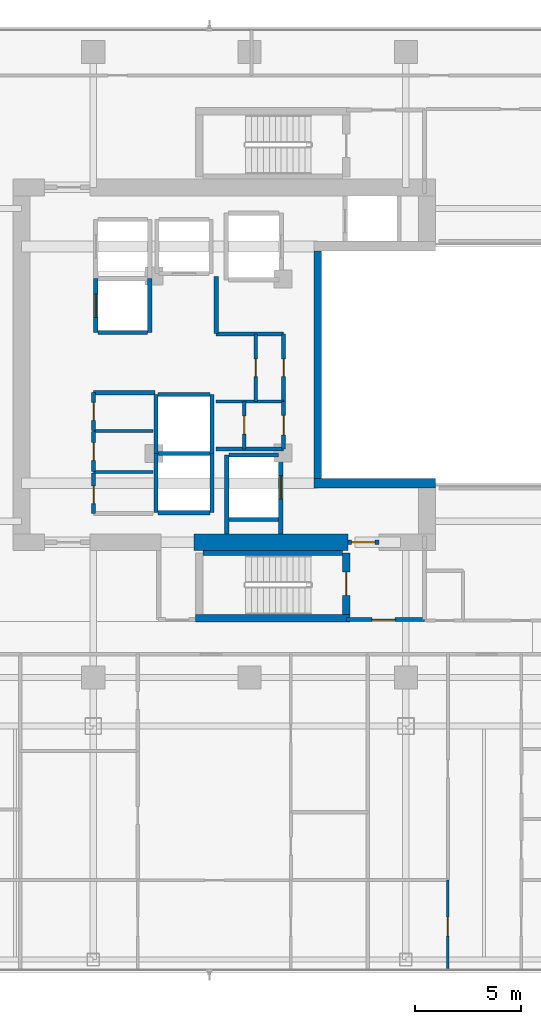
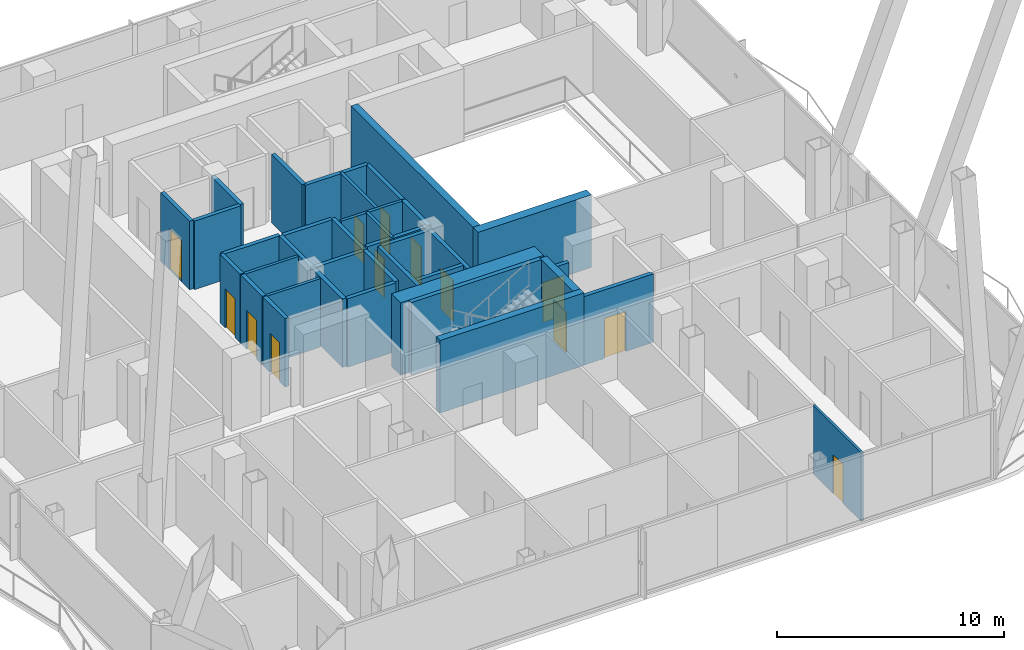
# One storey, part 21 of 27: 37 walls, 13 doors, 13 openings.
"""IFC4 building model written with IfcOpenShell, lengths in metres."""

from ifc_helpers import new_model, si_unit, direction, frame, frame_2d, origin, place, context, subcontext, project, spatial, rectangle, extrude, material, layer, layer_set, type_object, element, fill, save


model = new_model("IFC4")

# Units and contexts
model_context = context("Model", 3, precision=1e-05, world=origin(), true_north=direction((0.0, 1.0)))
body_context = subcontext(model_context, "Body", "Model", "MODEL_VIEW")
ifc_project = project(units=[si_unit("LENGTHUNIT", "METRE"), si_unit("AREAUNIT", "SQUARE_METRE"), si_unit("VOLUMEUNIT", "CUBIC_METRE"), si_unit("PLANEANGLEUNIT", "RADIAN"), si_unit("MASSUNIT", "GRAM", prefix="KILO")], contexts=[model_context])

# Site, building, storey
site_placement = place(None, origin())
site = spatial("IfcSite", under=ifc_project, at=site_placement, CompositionType="ELEMENT")
building_placement = place(site_placement, origin())
building = spatial("IfcBuilding", under=site, at=building_placement, Name="Khorvyn Point Tower", CompositionType="ELEMENT")
storey_placement = place(building_placement, frame((0.0, 0.0, 203.10009765625)))
storey = spatial("IfcBuildingStorey", under=building, at=storey_placement, Name="L50", CompositionType="ELEMENT", Elevation=203.10009765625)

# Wall
ifc_material_1 = material(Name="Concrete C40/50", Category="concrete")
ifc_layer_1 = layer(ifc_material_1, 0.449951171875)
ifc_layer_set_1 = layer_set([ifc_layer_1], Name="Concrete C40/50 Core Shear Wall 450")
wall_type_1 = type_object("IfcWallType", Name="Concrete C40/50 Core Shear Wall 450", PredefinedType="SHEAR", material=ifc_layer_set_1)
wall_1_placement = place(storey_placement, frame((3.044921875, -5.60009765625, 0.0), z_axis=(0.0, 0.0, 1.0), x_axis=(1.0, 0.0, 0.0)))
element("IfcWall", 1, at=wall_1_placement, inside=storey, type_object=wall_type_1, Name="Wall", PredefinedType="SHEAR", context=body_context, shape_type="SweptSolid", body=[
    extrude(rectangle(XDim=5.755126953125, YDim=0.449951171875, at=frame_2d((2.87744140625, 0.0))), origin(), (0.0, 0.0, 1.0), 3.89990234375),
])

# Wall, opening, door
ifc_layer_2 = layer(ifc_material_1, 0.199951171875)
ifc_layer_set_2 = layer_set([ifc_layer_2], Name="Concrete C40/50 Fire-Lobby Compartment Wall 200")
wall_type_2 = type_object("IfcWallType", Name="Concrete C40/50 Fire-Lobby Compartment Wall 200", PredefinedType="SOLIDWALL", material=ifc_layer_set_2)
wall_2_placement = place(storey_placement, frame((4.580078125, -12.06005859375, 0.0), z_axis=(0.0, 0.0, 1.0), x_axis=(1.0, 0.0, 0.0)))
wall_2 = element("IfcWall", 2, at=wall_2_placement, inside=storey, type_object=wall_type_2, Name="Wall", PredefinedType="SOLIDWALL", context=body_context, shape_type="SweptSolid", body=[
    extrude(rectangle(XDim=3.699951171875, YDim=0.199951171875, at=frame_2d((1.85009765625, 0.0))), origin(), (0.0, 0.0, 1.0), 3.679931640625),
])
opening_1_placement = place(wall_2_placement, frame((1.21240234375, 0.0, 0.0)))
opening_1 = element("IfcOpeningElement", 3, at=opening_1_placement, cuts=wall_2, Name="Opening ID-FL90", PredefinedType="OPENING", context=body_context, shape_type="SweptSolid", body=[
    extrude(rectangle(XDim=1.10009765625, YDim=2.14990234375, at=frame_2d((0.550048828125, 1.074951171875))), frame((0.0, 0.10986328125, 0.0), z_axis=(0.0, -1.0, 0.0), x_axis=(1.0, 0.0, 0.0)), (0.0, 0.0, 1.0), 0.219970703125),
])
ifc_material_2 = material(Name="Galvanised powder-coated steel", Category="steel")
door_type_1 = type_object("IfcDoorType", Name="Fire-Rated Steel Lobby and Stair Door 1100x2150", OperationType="NOTDEFINED", PredefinedType="DOOR", material=ifc_material_2)
door_1_placement = place(opening_1_placement, origin())
door_1 = element("IfcDoor", 4, at=door_1_placement, inside=storey, type_object=door_type_1, Name="Door", OperationType="SINGLE_SWING_LEFT", OverallHeight=2.14990234375, OverallWidth=1.10009765625, PredefinedType="DOOR", context=body_context, shape_type="SweptSolid", body=[
    extrude(rectangle(XDim=1.10009765625, YDim=2.14990234375, at=frame_2d((0.550048828125, 1.074951171875))), frame((0.0, 0.02490234375, 0.0), z_axis=(0.0, -1.0, 0.0), x_axis=(1.0, 0.0, 0.0)), (0.0, 0.0, 1.0), 0.050048828125),
])
fill(opening_1, door_1)

wall_3_placement = place(storey_placement, frame((4.64990234375, -8.39990234375, 0.0), z_axis=(0.0, 0.0, 1.0), x_axis=(1.0, 0.0, 0.0)))
wall_3 = element("IfcWall", 5, at=wall_3_placement, inside=storey, type_object=wall_type_2, Name="Wall", PredefinedType="SOLIDWALL", context=body_context, shape_type="SweptSolid", body=[
    extrude(rectangle(XDim=1.47021484375, YDim=0.199951171875, at=frame_2d((0.735107421875, 0.0))), origin(), (0.0, 0.0, 1.0), 2.81982421875),
])
opening_2_placement = place(wall_3_placement, frame((0.18505859375, 0.0, 0.0)))
opening_2 = element("IfcOpeningElement", 6, at=opening_2_placement, cuts=wall_3, Name="Opening ID-FL90", PredefinedType="OPENING", context=body_context, shape_type="SweptSolid", body=[
    extrude(rectangle(XDim=1.10009765625, YDim=2.14990234375, at=frame_2d((0.550048828125, 1.074951171875))), frame((0.0, 0.10986328125, 0.0), z_axis=(0.0, -1.0, 0.0), x_axis=(1.0, 0.0, 0.0)), (0.0, 0.0, 1.0), 0.219970703125),
])
door_2_placement = place(opening_2_placement, origin())
door_2 = element("IfcDoor", 7, at=door_2_placement, inside=storey, type_object=door_type_1, Name="Door", OperationType="SINGLE_SWING_RIGHT", OverallHeight=2.14990234375, OverallWidth=1.10009765625, PredefinedType="DOOR", context=body_context, shape_type="SweptSolid", body=[
    extrude(rectangle(XDim=1.10009765625, YDim=2.14990234375, at=frame_2d((0.550048828125, 1.074951171875))), frame((0.0, 0.02490234375, 0.0), z_axis=(0.0, -1.0, 0.0), x_axis=(1.0, 0.0, 0.0)), (0.0, 0.0, 1.0), 0.050048828125),
])
fill(opening_2, door_2)

wall_4_placement = place(storey_placement, frame((1.610107421875, -3.97998046875, 0.0), z_axis=(0.0, 0.0, 1.0), x_axis=(0.0, 1.0, 0.0)))
wall_4 = element("IfcWall", 8, at=wall_4_placement, inside=storey, type_object=wall_type_2, Name="Wall", PredefinedType="SOLIDWALL", context=body_context, shape_type="SweptSolid", body=[
    extrude(rectangle(XDim=2.240966796875, YDim=0.199951171875, at=frame_2d((1.12060546875, 0.0))), origin(), (0.0, 0.0, 1.0), 3.679931640625),
])
opening_3_placement = place(wall_4_placement, frame((0.660400390625, 0.0, 0.0)))
opening_3 = element("IfcOpeningElement", 9, at=opening_3_placement, cuts=wall_4, Name="Opening ID-RS60", PredefinedType="OPENING", context=body_context, shape_type="SweptSolid", body=[
    extrude(rectangle(XDim=0.919921875, YDim=2.10009765625, at=frame_2d((0.4599609375, 1.050048828125))), frame((0.0, 0.10986328125, 0.0), z_axis=(0.0, -1.0, 0.0), x_axis=(1.0, 0.0, 0.0)), (0.0, 0.0, 1.0), 0.219970703125),
])
door_type_2 = type_object("IfcDoorType", Name="Fire-Rated Riser and Store Steel Door 920x2100", OperationType="NOTDEFINED", PredefinedType="DOOR", material=ifc_material_2)
door_3_placement = place(opening_3_placement, origin())
door_3 = element("IfcDoor", 10, at=door_3_placement, inside=storey, type_object=door_type_2, Name="Door", OperationType="SINGLE_SWING_LEFT", OverallHeight=2.10009765625, OverallWidth=0.919921875, PredefinedType="DOOR", context=body_context, shape_type="SweptSolid", body=[
    extrude(rectangle(XDim=0.919921875, YDim=2.10009765625, at=frame_2d((0.4599609375, 1.050048828125))), frame((0.0, 0.02490234375, 0.0), z_axis=(0.0, -1.0, 0.0), x_axis=(1.0, 0.0, 0.0)), (0.0, 0.0, 1.0), 0.050048828125),
])
fill(opening_3, door_3)

wall_5_placement = place(storey_placement, frame((1.610107421875, -1.739013671875, 0.0), z_axis=(0.0, 0.0, 1.0), x_axis=(0.0, 1.0, 0.0)))
wall_5 = element("IfcWall", 11, at=wall_5_placement, inside=storey, type_object=wall_type_2, Name="Wall", PredefinedType="SOLIDWALL", context=body_context, shape_type="SweptSolid", body=[
    extrude(rectangle(XDim=3.198974609375, YDim=0.199951171875, at=frame_2d((1.599609375, 0.0))), origin(), (0.0, 0.0, 1.0), 3.679931640625),
])
opening_4_placement = place(wall_5_placement, frame((1.174560546875, 0.0, 0.0)))
opening_4 = element("IfcOpeningElement", 12, at=opening_4_placement, cuts=wall_5, Name="Opening ID-WC85", PredefinedType="OPENING", context=body_context, shape_type="SweptSolid", body=[
    extrude(rectangle(XDim=0.85009765625, YDim=2.10009765625, at=frame_2d((0.425048828125, 1.050048828125))), frame((0.0, 0.10986328125, 0.0), z_axis=(0.0, -1.0, 0.0), x_axis=(1.0, 0.0, 0.0)), (0.0, 0.0, 1.0), 0.219970703125),
])
ifc_material_3 = material(Name="High-pressure laminate on moisture-resistant core", Category="wood")
door_type_3 = type_object("IfcDoorType", Name="Moisture-Resistant Accessible Washroom Door 850x2100", OperationType="NOTDEFINED", PredefinedType="DOOR", material=ifc_material_3)
door_4_placement = place(opening_4_placement, origin())
door_4 = element("IfcDoor", 13, at=door_4_placement, inside=storey, type_object=door_type_3, Name="Door", OperationType="SINGLE_SWING_RIGHT", OverallHeight=2.10009765625, OverallWidth=0.85009765625, PredefinedType="DOOR", context=body_context, shape_type="SweptSolid", body=[
    extrude(rectangle(XDim=0.85009765625, YDim=2.10009765625, at=frame_2d((0.425048828125, 1.050048828125))), frame((0.0, 0.02490234375, 0.0), z_axis=(0.0, -1.0, 0.0), x_axis=(1.0, 0.0, 0.0)), (0.0, 0.0, 1.0), 0.050048828125),
])
fill(opening_4, door_4)

wall_6_placement = place(storey_placement, frame((-7.3798828125, -7.0400390625, 0.0), z_axis=(0.0, 0.0, 1.0), x_axis=(0.0, 1.0, 0.0)))
wall_6 = element("IfcWall", 14, at=wall_6_placement, inside=storey, type_object=wall_type_2, Name="Wall", PredefinedType="SOLIDWALL", context=body_context, shape_type="SweptSolid", body=[
    extrude(rectangle(XDim=1.929931640625, YDim=0.199951171875, at=frame_2d((0.96484375, 0.0))), origin(), (0.0, 0.0, 1.0), 3.679931640625),
])
opening_5_placement = place(wall_6_placement, frame((0.464111328125, 0.0, 0.0)))
opening_5 = element("IfcOpeningElement", 15, at=opening_5_placement, cuts=wall_6, Name="Opening ID-WC85", PredefinedType="OPENING", context=body_context, shape_type="SweptSolid", body=[
    extrude(rectangle(XDim=0.85009765625, YDim=2.10009765625, at=frame_2d((0.425048828125, 1.050048828125))), frame((0.0, 0.10986328125, 0.0), z_axis=(0.0, -1.0, 0.0), x_axis=(1.0, 0.0, 0.0)), (0.0, 0.0, 1.0), 0.219970703125),
])
door_5_placement = place(opening_5_placement, origin())
door_5 = element("IfcDoor", 16, at=door_5_placement, inside=storey, type_object=door_type_3, Name="Door", OperationType="SINGLE_SWING_LEFT", OverallHeight=2.10009765625, OverallWidth=0.85009765625, PredefinedType="DOOR", context=body_context, shape_type="SweptSolid", body=[
    extrude(rectangle(XDim=0.85009765625, YDim=2.10009765625, at=frame_2d((0.425048828125, 1.050048828125))), frame((0.0, 0.02490234375, 0.0), z_axis=(0.0, -1.0, 0.0), x_axis=(1.0, 0.0, 0.0)), (0.0, 0.0, 1.0), 0.050048828125),
])
fill(opening_5, door_5)

wall_7_placement = place(storey_placement, frame((-7.3798828125, -5.050048828125, 0.0), z_axis=(0.0, 0.0, 1.0), x_axis=(0.0, 1.0, 0.0)))
wall_7 = element("IfcWall", 17, at=wall_7_placement, inside=storey, type_object=wall_type_2, Name="Wall", PredefinedType="SOLIDWALL", context=body_context, shape_type="SweptSolid", body=[
    extrude(rectangle(XDim=1.89013671875, YDim=0.199951171875, at=frame_2d((0.945068359375, 0.0))), origin(), (0.0, 0.0, 1.0), 3.679931640625),
])
opening_6_placement = place(wall_7_placement, frame((0.52001953125, 0.0, 0.0)))
opening_6 = element("IfcOpeningElement", 18, at=opening_6_placement, cuts=wall_7, Name="Opening ID-WC85", PredefinedType="OPENING", context=body_context, shape_type="SweptSolid", body=[
    extrude(rectangle(XDim=0.85009765625, YDim=2.10009765625, at=frame_2d((0.425048828125, 1.050048828125))), frame((0.0, 0.10986328125, 0.0), z_axis=(0.0, -1.0, 0.0), x_axis=(1.0, 0.0, 0.0)), (0.0, 0.0, 1.0), 0.219970703125),
])
door_6_placement = place(opening_6_placement, origin())
door_6 = element("IfcDoor", 19, at=door_6_placement, inside=storey, type_object=door_type_3, Name="Door", OperationType="SINGLE_SWING_RIGHT", OverallHeight=2.10009765625, OverallWidth=0.85009765625, PredefinedType="DOOR", context=body_context, shape_type="SweptSolid", body=[
    extrude(rectangle(XDim=0.85009765625, YDim=2.10009765625, at=frame_2d((0.425048828125, 1.050048828125))), frame((0.0, 0.02490234375, 0.0), z_axis=(0.0, -1.0, 0.0), x_axis=(1.0, 0.0, 0.0)), (0.0, 0.0, 1.0), 0.050048828125),
])
fill(opening_6, door_6)

wall_8_placement = place(storey_placement, frame((-7.3798828125, -3.10009765625, 0.0), z_axis=(0.0, 0.0, 1.0), x_axis=(0.0, 1.0, 0.0)))
wall_8 = element("IfcWall", 20, at=wall_8_placement, inside=storey, type_object=wall_type_2, Name="Wall", PredefinedType="SOLIDWALL", context=body_context, shape_type="SweptSolid", body=[
    extrude(rectangle(XDim=1.780029296875, YDim=0.199951171875, at=frame_2d((0.89013671875, 0.0))), origin(), (0.0, 0.0, 1.0), 3.679931640625),
])
opening_7_placement = place(wall_8_placement, frame((0.465087890625, 0.0, 0.0)))
opening_7 = element("IfcOpeningElement", 21, at=opening_7_placement, cuts=wall_8, Name="Opening ID-WC85", PredefinedType="OPENING", context=body_context, shape_type="SweptSolid", body=[
    extrude(rectangle(XDim=0.85009765625, YDim=2.10009765625, at=frame_2d((0.425048828125, 1.050048828125))), frame((0.0, 0.10986328125, 0.0), z_axis=(0.0, -1.0, 0.0), x_axis=(1.0, 0.0, 0.0)), (0.0, 0.0, 1.0), 0.219970703125),
])
door_7_placement = place(opening_7_placement, origin())
door_7 = element("IfcDoor", 22, at=door_7_placement, inside=storey, type_object=door_type_3, Name="Door", OperationType="SINGLE_SWING_LEFT", OverallHeight=2.10009765625, OverallWidth=0.85009765625, PredefinedType="DOOR", context=body_context, shape_type="SweptSolid", body=[
    extrude(rectangle(XDim=0.85009765625, YDim=2.10009765625, at=frame_2d((0.425048828125, 1.050048828125))), frame((0.0, 0.02490234375, 0.0), z_axis=(0.0, -1.0, 0.0), x_axis=(1.0, 0.0, 0.0)), (0.0, 0.0, 1.0), 0.050048828125),
])
fill(opening_7, door_7)

# Walls
wall_9_placement = place(storey_placement, frame((-7.3798828125, -1.320068359375, 0.0), z_axis=(0.0, 0.0, 1.0), x_axis=(1.0, 0.0, 0.0)))
element("IfcWall", 23, at=wall_9_placement, inside=storey, type_object=wall_type_2, Name="Wall", PredefinedType="SOLIDWALL", context=body_context, shape_type="SweptSolid", body=[
    extrude(rectangle(XDim=2.909912109375, YDim=0.199951171875, at=frame_2d((1.455078125, 0.0))), origin(), (0.0, 0.0, 1.0), 3.679931640625),
])
wall_10_placement = place(storey_placement, frame((-1.580078125, 1.47998046875, 0.0), z_axis=(0.0, 0.0, 1.0), x_axis=(0.0, 1.0, 0.0)))
element("IfcWall", 24, at=wall_10_placement, inside=storey, type_object=wall_type_2, Name="Wall", PredefinedType="SOLIDWALL", context=body_context, shape_type="SweptSolid", body=[
    extrude(rectangle(XDim=2.699951171875, YDim=0.199951171875, at=frame_2d((1.35009765625, 0.0))), origin(), (0.0, 0.0, 1.0), 3.679931640625),
])
for number, where, z_axis, x_axis, name in (
    (25, (-1.580078125, -3.97998046875, 0.0), (0.0, 0.0, 1.0), (1.0, 0.0, 0.0), "Wall"),
    (26, (-1.580078125, 1.4599609375, 0.0), (0.0, 0.0, 1.0), (1.0, 0.0, 0.0), "Wall"),
):
    element("IfcWall", number, at=place(storey_placement, frame(where, z_axis=z_axis, x_axis=x_axis)), inside=storey, type_object=wall_type_2, Name=name, PredefinedType="SOLIDWALL", context=body_context, shape_type="SweptSolid", body=[
        extrude(rectangle(XDim=3.190185546875, YDim=0.199951171875, at=frame_2d((1.59521484375, 0.0))), origin(), (0.0, 0.0, 1.0), 3.679931640625),
    ])
ifc_layer_3 = layer(ifc_material_1, 0.25)
ifc_layer_set_3 = layer_set([ifc_layer_3], Name="Concrete C40/50 Stair Inner Cheek Structural Wall 250")
wall_type_3 = type_object("IfcWallType", Name="Concrete C40/50 Stair Inner Cheek Structural Wall 250", PredefinedType="SHEAR", material=ifc_layer_set_3)
wall_11_placement = place(storey_placement, frame((-2.199951171875, -8.91259765625, 0.0), z_axis=(0.0, 0.0, 1.0), x_axis=(1.0, 0.0, 0.0)))
element("IfcWall", 27, at=wall_11_placement, inside=storey, type_object=wall_type_3, Name="Wall", PredefinedType="SHEAR", context=body_context, shape_type="SweptSolid", body=[
    extrude(rectangle(XDim=6.599853515625, YDim=0.22509765625, at=frame_2d((3.2998046875, 0.0))), origin(), (0.0, 0.0, 1.0), 3.89990234375),
])
ifc_layer_4 = layer(ifc_material_1, 0.35009765625)
ifc_layer_set_4 = layer_set([ifc_layer_4], Name="Concrete C40/50 Stair Shaft Structural Wall 350")
wall_type_4 = type_object("IfcWallType", Name="Concrete C40/50 Stair Shaft Structural Wall 350", PredefinedType="SHEAR", material=ifc_layer_set_4)
wall_12_placement = place(storey_placement, frame((3.219970703125, -5.375, 0.0), z_axis=(0.0, 0.0, 1.0), x_axis=(0.0, 1.0, 0.0)))
element("IfcWall", 28, at=wall_12_placement, inside=storey, type_object=wall_type_4, Name="Wall", PredefinedType="SHEAR", context=body_context, shape_type="SweptSolid", body=[
    extrude(rectangle(XDim=10.75, YDim=0.35009765625, at=frame_2d((5.375, 0.0))), origin(), (0.0, 0.0, 1.0), 3.89990234375),
])
wall_13_placement = place(storey_placement, frame((-2.554931640625, -12.0, 0.0), z_axis=(0.0, 0.0, 1.0), x_axis=(1.0, 0.0, 0.0)))
element("IfcWall", 29, at=wall_13_placement, inside=storey, type_object=wall_type_4, Name="L50 ST-01 South Shaft Wall", PredefinedType="SHEAR", context=body_context, shape_type="SweptSolid", body=[
    extrude(rectangle(XDim=7.309814453125, YDim=0.35009765625, at=frame_2d((3.65478515625, 0.0))), origin(), (0.0, 0.0, 1.0), 3.89990234375),
])

# Wall, opening, door
wall_14_placement = place(storey_placement, frame((4.580078125, -8.89990234375, 0.0), z_axis=(0.0, 0.0, 1.0), x_axis=(0.0, -1.0, 0.0)))
wall_14 = element("IfcWall", 30, at=wall_14_placement, inside=storey, type_object=wall_type_4, Name="L50 ST-01 East Landing Door Wall", PredefinedType="SHEAR", context=body_context, shape_type="SweptSolid", body=[
    extrude(rectangle(XDim=2.925048828125, YDim=0.35009765625, at=frame_2d((1.46240234375, 0.0))), origin(), (0.0, 0.0, 1.0), 3.89990234375),
])
opening_8_placement = place(wall_14_placement, frame((0.91259765625, 0.0, 0.0)))
opening_8 = element("IfcOpeningElement", 31, at=opening_8_placement, cuts=wall_14, Name="Opening ID-FL90", PredefinedType="OPENING", context=body_context, shape_type="SweptSolid", body=[
    extrude(rectangle(XDim=1.10009765625, YDim=2.14990234375, at=frame_2d((0.550048828125, 1.074951171875))), frame((0.0, 0.18505859375, 0.0), z_axis=(0.0, -1.0, 0.0), x_axis=(1.0, 0.0, 0.0)), (0.0, 0.0, 1.0), 0.3701171875),
])
door_8_placement = place(opening_8_placement, origin())
door_8 = element("IfcDoor", 32, at=door_8_placement, inside=storey, type_object=door_type_1, Name="L50 ST-01 Smokeproof Landing Door", OperationType="SINGLE_SWING_RIGHT", OverallHeight=2.14990234375, OverallWidth=1.10009765625, PredefinedType="DOOR", context=body_context, shape_type="SweptSolid", body=[
    extrude(rectangle(XDim=1.10009765625, YDim=2.14990234375, at=frame_2d((0.550048828125, 1.074951171875))), frame((0.0, 0.02490234375, 0.0), z_axis=(0.0, -1.0, 0.0), x_axis=(1.0, 0.0, 0.0)), (0.0, 0.0, 1.0), 0.050048828125),
])
fill(opening_8, door_8)

ifc_layer_5 = layer(ifc_material_1, 0.199951171875)
ifc_layer_set_5 = layer_set([ifc_layer_5], Name="Concrete C40/50 Structural Hoistway and Stair Shaft Wall 200")
wall_type_5 = type_object("IfcWallType", Name="Concrete C40/50 Structural Hoistway and Stair Shaft Wall 200", PredefinedType="SHEAR", material=ifc_layer_set_5)
wall_15_placement = place(storey_placement, frame((-7.27490234375, 1.52490234375, 0.0), z_axis=(0.0, 0.0, 1.0), x_axis=(0.0, 1.0, 0.0)))
wall_15 = element("IfcWall", 33, at=wall_15_placement, inside=storey, type_object=wall_type_5, Name="Wall", PredefinedType="SHEAR", context=body_context, shape_type="SweptSolid", body=[
    extrude(rectangle(XDim=2.550048828125, YDim=0.199951171875, at=frame_2d((1.27490234375, 0.0))), origin(), (0.0, 0.0, 1.0), 3.679931640625),
])
opening_9_placement = place(wall_15_placement, frame((0.72509765625, 0.0, 0.0)))
opening_9 = element("IfcOpeningElement", 34, at=opening_9_placement, cuts=wall_15, Name="Opening LD-1122", PredefinedType="OPENING", context=body_context, shape_type="SweptSolid", body=[
    extrude(rectangle(XDim=1.10009765625, YDim=2.199951171875, at=frame_2d((0.550048828125, 1.10009765625))), frame((0.0, 0.10986328125, 0.0), z_axis=(0.0, -1.0, 0.0), x_axis=(1.0, 0.0, 0.0)), (0.0, 0.0, 1.0), 0.219970703125),
])
ifc_material_4 = material(Name="Stainless steel 1.4301", Category="steel")
door_type_4 = type_object("IfcDoorType", Name="Stainless Steel Automatic Sliding Lift Landing Door 1100x2200", OperationType="SLIDING_TO_LEFT", PredefinedType="DOOR", material=ifc_material_4)
door_9_placement = place(opening_9_placement, origin())
door_9 = element("IfcDoor", 35, at=door_9_placement, inside=storey, type_object=door_type_4, Name="L50 RM-01 Sliding Lift Landing Door", OperationType="SLIDING_TO_LEFT", OverallHeight=2.199951171875, OverallWidth=1.10009765625, PredefinedType="DOOR", context=body_context, shape_type="SweptSolid", body=[
    extrude(rectangle(XDim=1.10009765625, YDim=2.199951171875, at=frame_2d((0.550048828125, 1.10009765625))), frame((0.0, 0.02490234375, 0.0), z_axis=(0.0, -1.0, 0.0), x_axis=(1.0, 0.0, 0.0)), (0.0, 0.0, 1.0), 0.050048828125),
])
fill(opening_9, door_9)

# Walls
wall_16_placement = place(storey_placement, frame((-4.72509765625, 1.52490234375, 0.0), z_axis=(0.0, 0.0, 1.0), x_axis=(0.0, 1.0, 0.0)))
element("IfcWall", 36, at=wall_16_placement, inside=storey, type_object=wall_type_5, Name="Wall", PredefinedType="SHEAR", context=body_context, shape_type="SweptSolid", body=[
    extrude(rectangle(XDim=2.550048828125, YDim=0.199951171875, at=frame_2d((1.27490234375, 0.0))), origin(), (0.0, 0.0, 1.0), 3.679931640625),
])
wall_17_placement = place(storey_placement, frame((-7.175048828125, 1.52490234375, 0.0), z_axis=(0.0, 0.0, 1.0), x_axis=(1.0, 0.0, 0.0)))
element("IfcWall", 37, at=wall_17_placement, inside=storey, type_object=wall_type_5, Name="Wall", PredefinedType="SHEAR", context=body_context, shape_type="SweptSolid", body=[
    extrude(rectangle(XDim=2.35009765625, YDim=0.199951171875, at=frame_2d((1.175048828125, 0.0))), origin(), (0.0, 0.0, 1.0), 3.679931640625),
])
for number, where, z_axis, x_axis, name in (
    (38, (-4.425048828125, -7.0, 0.0), (0.0, 0.0, 1.0), (0.0, 1.0, 0.0), "Wall"),
    (39, (-1.77490234375, -7.0, 0.0), (0.0, 0.0, 1.0), (0.0, 1.0, 0.0), "Wall"),
):
    element("IfcWall", number, at=place(storey_placement, frame(where, z_axis=z_axis, x_axis=x_axis)), inside=storey, type_object=wall_type_5, Name=name, PredefinedType="SHEAR", context=body_context, shape_type="SweptSolid", body=[
        extrude(rectangle(XDim=2.800048828125, YDim=0.199951171875, at=frame_2d((1.39990234375, 0.0))), origin(), (0.0, 0.0, 1.0), 3.679931640625),
    ])
for number, where, z_axis, x_axis, name in (
    (40, (-4.324951171875, -7.0, 0.0), (0.0, 0.0, 1.0), (1.0, 0.0, 0.0), "Wall"),
    (41, (-4.324951171875, -4.199951171875, 0.0), (0.0, 0.0, 1.0), (1.0, 0.0, 0.0), "Wall"),
):
    element("IfcWall", number, at=place(storey_placement, frame(where, z_axis=z_axis, x_axis=x_axis)), inside=storey, type_object=wall_type_5, Name=name, PredefinedType="SHEAR", context=body_context, shape_type="SweptSolid", body=[
        extrude(rectangle(XDim=2.449951171875, YDim=0.199951171875, at=frame_2d((1.22509765625, 0.0))), origin(), (0.0, 0.0, 1.0), 3.679931640625),
    ])
for number, where, z_axis, x_axis, name in (
    (42, (-4.425048828125, -4.199951171875, 0.0), (0.0, 0.0, 1.0), (0.0, 1.0, 0.0), "Wall"),
    (43, (-1.77490234375, -4.199951171875, 0.0), (0.0, 0.0, 1.0), (0.0, 1.0, 0.0), "Wall"),
):
    element("IfcWall", number, at=place(storey_placement, frame(where, z_axis=z_axis, x_axis=x_axis)), inside=storey, type_object=wall_type_5, Name=name, PredefinedType="SHEAR", context=body_context, shape_type="SweptSolid", body=[
        extrude(rectangle(XDim=2.800048828125, YDim=0.199951171875, at=frame_2d((1.39990234375, 0.0))), origin(), (0.0, 0.0, 1.0), 3.679931640625),
    ])
wall_18_placement = place(storey_placement, frame((-4.324951171875, -1.39990234375, 0.0), z_axis=(0.0, 0.0, 1.0), x_axis=(1.0, 0.0, 0.0)))
element("IfcWall", 44, at=wall_18_placement, inside=storey, type_object=wall_type_5, Name="Wall", PredefinedType="SHEAR", context=body_context, shape_type="SweptSolid", body=[
    extrude(rectangle(XDim=2.449951171875, YDim=0.199951171875, at=frame_2d((1.22509765625, 0.0))), origin(), (0.0, 0.0, 1.0), 3.679931640625),
])
wall_19_placement = place(storey_placement, frame((-1.074951171875, -8.0, 0.0), z_axis=(0.0, 0.0, 1.0), x_axis=(0.0, 1.0, 0.0)))
element("IfcWall", 45, at=wall_19_placement, inside=storey, type_object=wall_type_5, Name="Wall", PredefinedType="SHEAR", context=body_context, shape_type="SweptSolid", body=[
    extrude(rectangle(XDim=3.72509765625, YDim=0.199951171875, at=frame_2d((1.862548828125, 0.0))), origin(), (0.0, 0.0, 1.0), 3.679931640625),
])

# Wall, opening, door
wall_20_placement = place(storey_placement, frame((1.47509765625, -8.0, 0.0), z_axis=(0.0, 0.0, 1.0), x_axis=(0.0, 1.0, 0.0)))
wall_20 = element("IfcWall", 46, at=wall_20_placement, inside=storey, type_object=wall_type_5, Name="Wall", PredefinedType="SHEAR", context=body_context, shape_type="SweptSolid", body=[
    extrude(rectangle(XDim=3.72509765625, YDim=0.199951171875, at=frame_2d((1.862548828125, 0.0))), origin(), (0.0, 0.0, 1.0), 3.679931640625),
])
opening_10_placement = place(wall_20_placement, frame((1.64990234375, 0.0, 0.0)))
opening_10 = element("IfcOpeningElement", 47, at=opening_10_placement, cuts=wall_20, Name="Opening LD-1122", PredefinedType="OPENING", context=body_context, shape_type="SweptSolid", body=[
    extrude(rectangle(XDim=1.10009765625, YDim=2.199951171875, at=frame_2d((0.550048828125, 1.10009765625))), frame((0.0, 0.10986328125, 0.0), z_axis=(0.0, -1.0, 0.0), x_axis=(1.0, 0.0, 0.0)), (0.0, 0.0, 1.0), 0.219970703125),
])
door_10_placement = place(opening_10_placement, origin())
door_10 = element("IfcDoor", 48, at=door_10_placement, inside=storey, type_object=door_type_4, Name="L50 FF-01 Sliding Lift Landing Door", OperationType="SLIDING_TO_LEFT", OverallHeight=2.199951171875, OverallWidth=1.10009765625, PredefinedType="DOOR", context=body_context, shape_type="SweptSolid", body=[
    extrude(rectangle(XDim=1.10009765625, YDim=2.199951171875, at=frame_2d((0.550048828125, 1.10009765625))), frame((0.0, 0.02490234375, 0.0), z_axis=(0.0, -1.0, 0.0), x_axis=(1.0, 0.0, 0.0)), (0.0, 0.0, 1.0), 0.050048828125),
])
fill(opening_10, door_10)

# Walls
for number, where, z_axis, x_axis, name in (
    (49, (-0.97509765625, -7.324951171875, 0.0), (0.0, 0.0, 1.0), (1.0, 0.0, 0.0), "Wall"),
    (50, (-0.97509765625, -4.27490234375, 0.0), (0.0, 0.0, 1.0), (1.0, 0.0, 0.0), "Wall"),
):
    element("IfcWall", number, at=place(storey_placement, frame(where, z_axis=z_axis, x_axis=x_axis)), inside=storey, type_object=wall_type_5, Name=name, PredefinedType="SHEAR", context=body_context, shape_type="SweptSolid", body=[
        extrude(rectangle(XDim=2.35009765625, YDim=0.199951171875, at=frame_2d((1.175048828125, 0.0))), origin(), (0.0, 0.0, 1.0), 3.679931640625),
    ])
ifc_material_5 = material(Name="Concrete C45/55", Category="concrete")
ifc_layer_6 = layer(ifc_material_5, 0.800048828125)
ifc_layer_set_6 = layer_set([ifc_layer_6], Name="Concrete C45/55 Core Shear Wall 800")
wall_type_6 = type_object("IfcWallType", Name="Concrete C45/55 Core Shear Wall 800", PredefinedType="SHEAR", material=ifc_layer_set_6)
wall_21_placement = place(storey_placement, frame((-2.6201171875, -8.39990234375, 0.0), z_axis=(0.0, 0.0, 1.0), x_axis=(1.0, 0.0, 0.0)))
element("IfcWall", 51, at=wall_21_placement, inside=storey, type_object=wall_type_6, Name="Wall", PredefinedType="SHEAR", context=body_context, shape_type="SweptSolid", body=[
    extrude(rectangle(XDim=7.27001953125, YDim=0.800048828125, at=frame_2d((3.635009765625, 0.0))), origin(), (0.0, 0.0, 1.0), 3.89990234375),
])

# Wall, opening, door
ifc_material_6 = material(Name="Gypsum plasterboard on steel stud", Category="steel")
ifc_layer_7 = layer(ifc_material_6, 0.1201171875)
ifc_layer_set_7 = layer_set([ifc_layer_7], Name="Gypsum Acoustic Stud Room Partition Wall 120")
wall_type_7 = type_object("IfcWallType", Name="Gypsum Acoustic Stud Room Partition Wall 120", PredefinedType="PARTITIONING", material=ifc_layer_set_7)
wall_22_placement = place(storey_placement, frame((9.385986328125, -28.6298828125, 0.0), z_axis=(0.0, 0.0, 1.0), x_axis=(0.0, 1.0, 0.0)))
wall_22 = element("IfcWall", 52, at=wall_22_placement, inside=storey, type_object=wall_type_7, Name="Wall", PredefinedType="PARTITIONING", context=body_context, shape_type="SweptSolid", body=[
    extrude(rectangle(XDim=4.239990234375, YDim=0.1201171875, at=frame_2d((2.1201171875, 0.0))), origin(), (0.0, 0.0, 1.0), 3.679931640625),
])
opening_11_placement = place(wall_22_placement, frame((1.581298828125, 0.0, 0.0)))
opening_11 = element("IfcOpeningElement", 53, at=opening_11_placement, cuts=wall_22, Name="Opening ID-RM90", PredefinedType="OPENING", context=body_context, shape_type="SweptSolid", body=[
    extrude(rectangle(XDim=0.89990234375, YDim=2.10009765625, at=frame_2d((0.449951171875, 1.050048828125))), frame((0.0, 0.070068359375, 0.0), z_axis=(0.0, -1.0, 0.0), x_axis=(1.0, 0.0, 0.0)), (0.0, 0.0, 1.0), 0.14013671875),
])
ifc_material_7 = material(Name="Engineered oak veneer timber", Category="wood")
door_type_5 = type_object("IfcDoorType", Name="Flush Engineered Timber Room Door 900x2100", OperationType="NOTDEFINED", PredefinedType="DOOR", material=ifc_material_7)
door_11_placement = place(opening_11_placement, origin())
door_11 = element("IfcDoor", 54, at=door_11_placement, inside=storey, type_object=door_type_5, Name="Door", OperationType="SINGLE_SWING_RIGHT", OverallHeight=2.10009765625, OverallWidth=0.89990234375, PredefinedType="DOOR", context=body_context, shape_type="SweptSolid", body=[
    extrude(rectangle(XDim=0.89990234375, YDim=2.10009765625, at=frame_2d((0.449951171875, 1.050048828125))), frame((0.0, 0.02490234375, 0.0), z_axis=(0.0, -1.0, 0.0), x_axis=(1.0, 0.0, 0.0)), (0.0, 0.0, 1.0), 0.050048828125),
])
fill(opening_11, door_11)

ifc_material_8 = material(Name="Moisture-resistant gypsum and cement board", Category="gypsum")
ifc_layer_8 = layer(ifc_material_8, 0.14990234375)
ifc_layer_set_8 = layer_set([ifc_layer_8], Name="Moisture-Resistant Wet-Room Partition Wall 150")
wall_type_8 = type_object("IfcWallType", Name="Moisture-Resistant Wet-Room Partition Wall 150", PredefinedType="PARTITIONING", material=ifc_layer_set_8)
wall_23_placement = place(storey_placement, frame((-0.25, -3.97998046875, 0.0), z_axis=(0.0, 0.0, 1.0), x_axis=(0.0, 1.0, 0.0)))
wall_23 = element("IfcWall", 55, at=wall_23_placement, inside=storey, type_object=wall_type_8, Name="Wall", PredefinedType="PARTITIONING", context=body_context, shape_type="SweptSolid", body=[
    extrude(rectangle(XDim=2.240966796875, YDim=0.14990234375, at=frame_2d((1.12060546875, 0.0))), origin(), (0.0, 0.0, 1.0), 3.679931640625),
])
opening_12_placement = place(wall_23_placement, frame((0.695556640625, 0.0, 0.0)))
opening_12 = element("IfcOpeningElement", 56, at=opening_12_placement, cuts=wall_23, Name="Opening ID-WC85", PredefinedType="OPENING", context=body_context, shape_type="SweptSolid", body=[
    extrude(rectangle(XDim=0.85009765625, YDim=2.10009765625, at=frame_2d((0.425048828125, 1.050048828125))), frame((0.0, 0.0849609375, 0.0), z_axis=(0.0, -1.0, 0.0), x_axis=(1.0, 0.0, 0.0)), (0.0, 0.0, 1.0), 0.169921875),
])
door_12_placement = place(opening_12_placement, origin())
door_12 = element("IfcDoor", 57, at=door_12_placement, inside=storey, type_object=door_type_3, Name="Door", OperationType="SINGLE_SWING_LEFT", OverallHeight=2.10009765625, OverallWidth=0.85009765625, PredefinedType="DOOR", context=body_context, shape_type="SweptSolid", body=[
    extrude(rectangle(XDim=0.85009765625, YDim=2.10009765625, at=frame_2d((0.425048828125, 1.050048828125))), frame((0.0, 0.02490234375, 0.0), z_axis=(0.0, -1.0, 0.0), x_axis=(1.0, 0.0, 0.0)), (0.0, 0.0, 1.0), 0.050048828125),
])
fill(opening_12, door_12)

wall_24_placement = place(storey_placement, frame((0.2900390625, -1.739013671875, 0.0), z_axis=(0.0, 0.0, 1.0), x_axis=(0.0, 1.0, 0.0)))
wall_24 = element("IfcWall", 58, at=wall_24_placement, inside=storey, type_object=wall_type_8, Name="Wall", PredefinedType="PARTITIONING", context=body_context, shape_type="SweptSolid", body=[
    extrude(rectangle(XDim=3.198974609375, YDim=0.14990234375, at=frame_2d((1.599609375, 0.0))), origin(), (0.0, 0.0, 1.0), 3.679931640625),
])
opening_13_placement = place(wall_24_placement, frame((1.174560546875, 0.0, 0.0)))
opening_13 = element("IfcOpeningElement", 59, at=opening_13_placement, cuts=wall_24, Name="Opening ID-WC85", PredefinedType="OPENING", context=body_context, shape_type="SweptSolid", body=[
    extrude(rectangle(XDim=0.85009765625, YDim=2.10009765625, at=frame_2d((0.425048828125, 1.050048828125))), frame((0.0, 0.0849609375, 0.0), z_axis=(0.0, -1.0, 0.0), x_axis=(1.0, 0.0, 0.0)), (0.0, 0.0, 1.0), 0.169921875),
])
door_13_placement = place(opening_13_placement, origin())
door_13 = element("IfcDoor", 60, at=door_13_placement, inside=storey, type_object=door_type_3, Name="Door", OperationType="SINGLE_SWING_RIGHT", OverallHeight=2.10009765625, OverallWidth=0.85009765625, PredefinedType="DOOR", context=body_context, shape_type="SweptSolid", body=[
    extrude(rectangle(XDim=0.85009765625, YDim=2.10009765625, at=frame_2d((0.425048828125, 1.050048828125))), frame((0.0, 0.02490234375, 0.0), z_axis=(0.0, -1.0, 0.0), x_axis=(1.0, 0.0, 0.0)), (0.0, 0.0, 1.0), 0.050048828125),
])
fill(opening_13, door_13)

# Walls
wall_25_placement = place(storey_placement, frame((-1.580078125, -1.739013671875, 0.0), z_axis=(0.0, 0.0, 1.0), x_axis=(1.0, 0.0, 0.0)))
element("IfcWall", 61, at=wall_25_placement, inside=storey, type_object=wall_type_8, Name="Wall", PredefinedType="PARTITIONING", context=body_context, shape_type="SweptSolid", body=[
    extrude(rectangle(XDim=3.190185546875, YDim=0.14990234375, at=frame_2d((1.59521484375, 0.0))), origin(), (0.0, 0.0, 1.0), 3.679931640625),
])
for number, where, z_axis, x_axis, name in (
    (62, (-7.3798828125, -5.080078125, 0.0), (0.0, 0.0, 1.0), (1.0, 0.0, 0.0), "Wall"),
    (63, (-7.3798828125, -3.1298828125, 0.0), (0.0, 0.0, 1.0), (1.0, 0.0, 0.0), "Wall"),
):
    element("IfcWall", number, at=place(storey_placement, frame(where, z_axis=z_axis, x_axis=x_axis)), inside=storey, type_object=wall_type_8, Name=name, PredefinedType="PARTITIONING", context=body_context, shape_type="SweptSolid", body=[
        extrude(rectangle(XDim=2.7998046875, YDim=0.14990234375, at=frame_2d((1.39990234375, 0.0))), origin(), (0.0, 0.0, 1.0), 3.679931640625),
    ])

save(model, "model.ifc")
